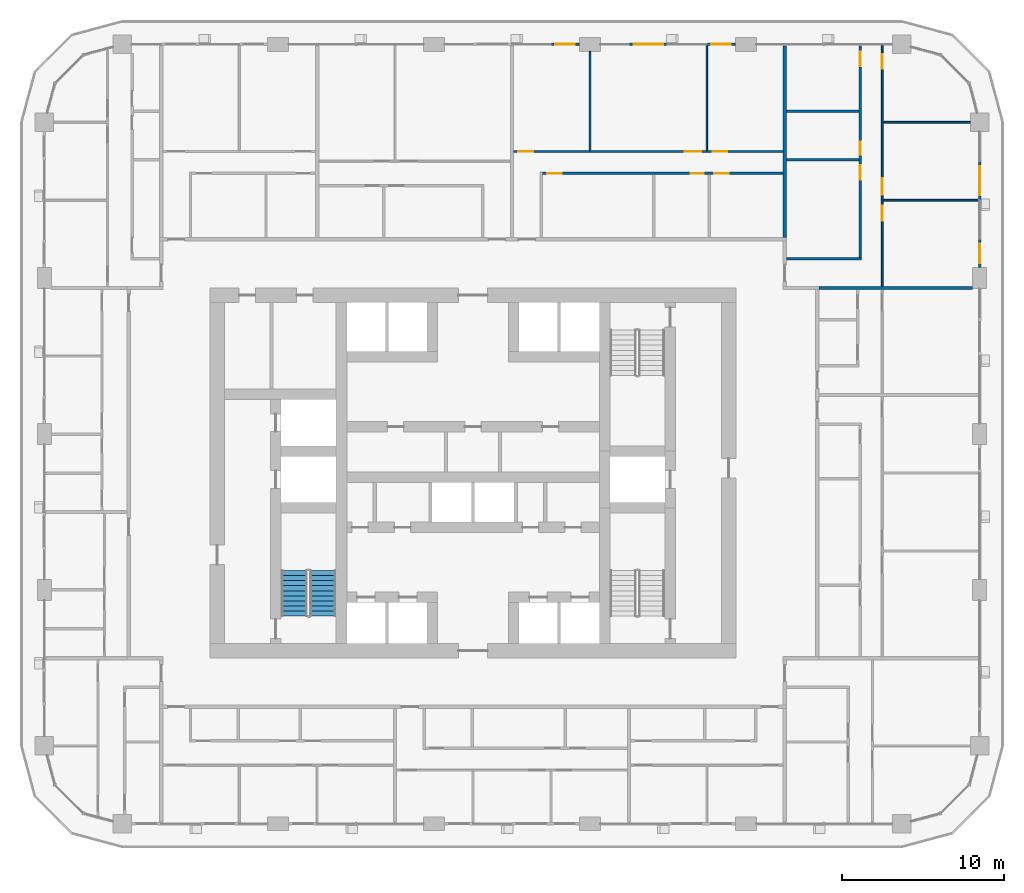
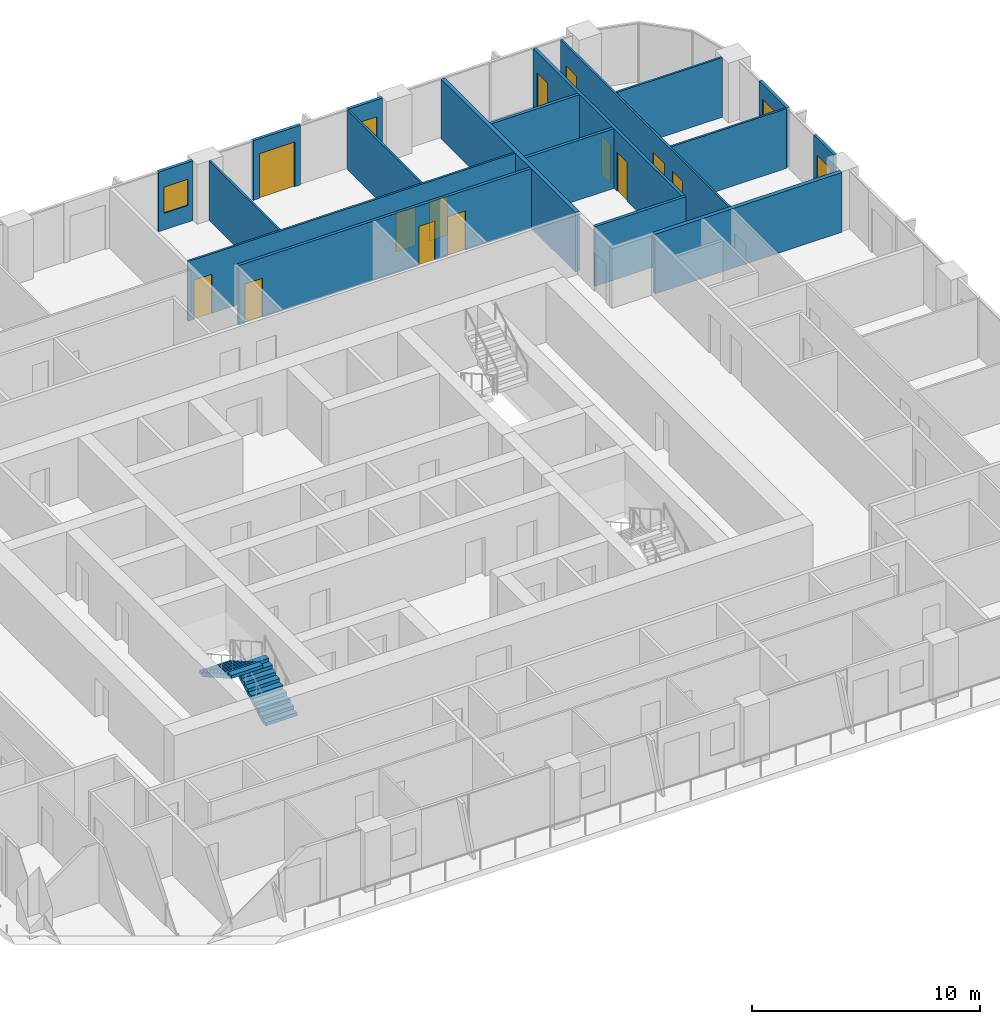
# One storey, part 15 of 22: 18 walls, 14 doors, 3 windows, 2 stair flights, 17 openings, 1 element without a shape of its own.
"""IFC4 building model written with IfcOpenShell, lengths in metres."""

from ifc_helpers import new_model, si_unit, direction, frame, frame_2d, origin, place, context, subcontext, project, spatial, polyline, rectangle, outline, extrude, material, layer, layer_set, type_object, element, fill, aggregate, save


model = new_model("IFC4")

# Units and contexts
model_context = context("Model", 3, precision=1e-05, world=origin(), true_north=direction((0.0, 1.0)))
body_context = subcontext(model_context, "Body", "Model", "MODEL_VIEW")
ifc_project = project(units=[si_unit("LENGTHUNIT", "METRE"), si_unit("AREAUNIT", "SQUARE_METRE"), si_unit("VOLUMEUNIT", "CUBIC_METRE"), si_unit("PLANEANGLEUNIT", "RADIAN"), si_unit("MASSUNIT", "GRAM", prefix="KILO")], contexts=[model_context])

# Site, building, storey
site_placement = place(None, origin())
site = spatial("IfcSite", under=ifc_project, at=site_placement, CompositionType="ELEMENT")
building_placement = place(site_placement, origin())
building = spatial("IfcBuilding", under=site, at=building_placement, Name="Madar Terraces", CompositionType="ELEMENT")
storey_placement = place(building_placement, frame((0.0, 0.0, 99.699951171875)))
storey = spatial("IfcBuildingStorey", under=building, at=storey_placement, Name="L25", CompositionType="ELEMENT", Elevation=99.699951171875)

# Wall, opening, window
ifc_material_1 = material(Name="Aluminium composite panel, black, over insulated backing", Category="aluminium")
ifc_layer_1 = layer(ifc_material_1, 0.14990234375)
ifc_layer_set_1 = layer_set([ifc_layer_1], Name="Facade bay panel 150")
wall_type_1 = type_object("IfcWallType", Name="Facade bay panel 150", PredefinedType="SOLIDWALL", material=ifc_layer_set_1)
wall_1_placement = place(storey_placement, frame((62.39990234375, 39.050048828125, 0.0), z_axis=(0.0, 0.0, 1.0), x_axis=(0.0, 1.0, 0.0)))
wall_1 = element("IfcWall", 1, at=wall_1_placement, inside=storey, type_object=wall_type_1, Name="Facade bay panel", PredefinedType="SOLIDWALL", context=body_context, shape_type="SweptSolid", body=[
    extrude(rectangle(XDim=1.75, YDim=0.14990234375, at=frame_2d((0.875, 0.0))), origin(), (0.0, 0.0, 1.0), 3.199951171875),
])
opening_1_placement = place(wall_1_placement, frame((0.27490234375, 0.0, 0.89990234375)))
opening_1 = element("IfcOpeningElement", 2, at=opening_1_placement, cuts=wall_1, Name="Opening W1", PredefinedType="OPENING", context=body_context, shape_type="SweptSolid", body=[
    extrude(rectangle(XDim=1.199951171875, YDim=1.39990234375, at=frame_2d((0.60009765625, 0.699951171875))), frame((0.0, 0.0849609375, 0.0), z_axis=(0.0, -1.0, 0.0), x_axis=(1.0, 0.0, 0.0)), (0.0, 0.0, 1.0), 0.169921875),
])
ifc_material_2 = material(Name="Glass, clear, with black aluminium frame", Category="aluminium")
window_type = type_object("IfcWindowType", Name="Vent window 1200 x 1400", PartitioningType="SINGLE_PANEL", PredefinedType="WINDOW", material=ifc_material_2)
window_1_placement = place(opening_1_placement, origin())
window_1 = element("IfcWindow", 3, at=window_1_placement, inside=storey, type_object=window_type, Name="Operable vent window", OverallHeight=1.39990234375, OverallWidth=1.199951171875, PartitioningType="SINGLE_PANEL", PredefinedType="WINDOW", context=body_context, shape_type="SweptSolid", body=[
    extrude(rectangle(XDim=1.199951171875, YDim=1.39990234375, at=frame_2d((0.60009765625, 0.699951171875))), frame((0.0, 0.030029296875, 0.0), z_axis=(0.0, -1.0, 0.0), x_axis=(1.0, 0.0, 0.0)), (0.0, 0.0, 1.0), 0.06005859375),
])
fill(opening_1, window_1)

# Wall, opening, door
wall_2_placement = place(storey_placement, frame((62.39990234375, 43.199951171875, 0.0), z_axis=(0.0, 0.0, 1.0), x_axis=(0.0, 1.0, 0.0)))
wall_2 = element("IfcWall", 4, at=wall_2_placement, inside=storey, type_object=wall_type_1, Name="Facade bay panel", PredefinedType="SOLIDWALL", context=body_context, shape_type="SweptSolid", body=[
    extrude(rectangle(XDim=2.400146484375, YDim=0.14990234375, at=frame_2d((1.2001953125, 0.0))), origin(), (0.0, 0.0, 1.0), 3.199951171875),
])
opening_2_placement = place(wall_2_placement, frame((0.300048828125, 0.0, 0.0)))
opening_2 = element("IfcOpeningElement", 5, at=opening_2_placement, cuts=wall_2, Name="Opening ED1", PredefinedType="OPENING", context=body_context, shape_type="SweptSolid", body=[
    extrude(rectangle(XDim=1.800048828125, YDim=2.39990234375, at=frame_2d((0.89990234375, 1.199951171875))), frame((0.0, 0.0849609375, 0.0), z_axis=(0.0, -1.0, 0.0), x_axis=(1.0, 0.0, 0.0)), (0.0, 0.0, 1.0), 0.169921875),
])
ifc_material_3 = material(Name="Glass, clear, with black aluminium frame", Category="aluminium")
door_type_1 = type_object("IfcDoorType", Name="Balcony and terrace sliding door 1800 x 2400", OperationType="SLIDING_TO_LEFT", PredefinedType="DOOR", material=ifc_material_3)
door_1_placement = place(opening_2_placement, origin())
door_1 = element("IfcDoor", 6, at=door_1_placement, inside=storey, type_object=door_type_1, Name="Balcony door", OperationType="SLIDING_TO_LEFT", OverallHeight=2.39990234375, OverallWidth=1.800048828125, PredefinedType="DOOR", context=body_context, shape_type="SweptSolid", body=[
    extrude(rectangle(XDim=1.800048828125, YDim=2.39990234375, at=frame_2d((0.89990234375, 1.199951171875))), frame((0.0, 0.02490234375, 0.0), z_axis=(0.0, -1.0, 0.0), x_axis=(1.0, 0.0, 0.0)), (0.0, 0.0, 1.0), 0.050048828125),
])
fill(opening_2, door_1)

# Wall, opening, window
wall_3_placement = place(storey_placement, frame((47.35009765625, 52.800048828125, 0.0), z_axis=(0.0, 0.0, 1.0), x_axis=(-1.0, 0.0, 0.0)))
wall_3 = element("IfcWall", 7, at=wall_3_placement, inside=storey, type_object=wall_type_1, Name="Facade bay panel", PredefinedType="SOLIDWALL", context=body_context, shape_type="SweptSolid", body=[
    extrude(rectangle(XDim=1.75, YDim=0.14990234375, at=frame_2d((0.875, 0.0))), origin(), (0.0, 0.0, 1.0), 3.199951171875),
])
opening_3_placement = place(wall_3_placement, frame((0.27490234375, 0.0, 0.89990234375)))
opening_3 = element("IfcOpeningElement", 8, at=opening_3_placement, cuts=wall_3, Name="Opening W1", PredefinedType="OPENING", context=body_context, shape_type="SweptSolid", body=[
    extrude(rectangle(XDim=1.199951171875, YDim=1.39990234375, at=frame_2d((0.60009765625, 0.699951171875))), frame((0.0, 0.0849609375, 0.0), z_axis=(0.0, -1.0, 0.0), x_axis=(1.0, 0.0, 0.0)), (0.0, 0.0, 1.0), 0.169921875),
])
window_2_placement = place(opening_3_placement, origin())
window_2 = element("IfcWindow", 9, at=window_2_placement, inside=storey, type_object=window_type, Name="Operable vent window", OverallHeight=1.39990234375, OverallWidth=1.199951171875, PartitioningType="SINGLE_PANEL", PredefinedType="WINDOW", context=body_context, shape_type="SweptSolid", body=[
    extrude(rectangle(XDim=1.199951171875, YDim=1.39990234375, at=frame_2d((0.60009765625, 0.699951171875))), frame((0.0, 0.030029296875, 0.0), z_axis=(0.0, -1.0, 0.0), x_axis=(1.0, 0.0, 0.0)), (0.0, 0.0, 1.0), 0.06005859375),
])
fill(opening_3, window_2)

# Wall, opening, door
wall_4_placement = place(storey_placement, frame((43.199951171875, 52.800048828125, 0.0), z_axis=(0.0, 0.0, 1.0), x_axis=(-1.0, 0.0, 0.0)))
wall_4 = element("IfcWall", 10, at=wall_4_placement, inside=storey, type_object=wall_type_1, Name="Facade bay panel", PredefinedType="SOLIDWALL", context=body_context, shape_type="SweptSolid", body=[
    extrude(rectangle(XDim=2.39990234375, YDim=0.14990234375, at=frame_2d((1.199951171875, 0.0))), origin(), (0.0, 0.0, 1.0), 3.199951171875),
])
opening_4_placement = place(wall_4_placement, frame((0.300048828125, 0.0, 0.0)))
opening_4 = element("IfcOpeningElement", 11, at=opening_4_placement, cuts=wall_4, Name="Opening ED1", PredefinedType="OPENING", context=body_context, shape_type="SweptSolid", body=[
    extrude(rectangle(XDim=1.800048828125, YDim=2.39990234375, at=frame_2d((0.89990234375, 1.199951171875))), frame((0.0, 0.0849609375, 0.0), z_axis=(0.0, -1.0, 0.0), x_axis=(1.0, 0.0, 0.0)), (0.0, 0.0, 1.0), 0.169921875),
])
door_2_placement = place(opening_4_placement, origin())
door_2 = element("IfcDoor", 12, at=door_2_placement, inside=storey, type_object=door_type_1, Name="Balcony door", OperationType="SLIDING_TO_RIGHT", OverallHeight=2.39990234375, OverallWidth=1.800048828125, PredefinedType="DOOR", context=body_context, shape_type="SweptSolid", body=[
    extrude(rectangle(XDim=1.800048828125, YDim=2.39990234375, at=frame_2d((0.89990234375, 1.199951171875))), frame((0.0, 0.02490234375, 0.0), z_axis=(0.0, -1.0, 0.0), x_axis=(1.0, 0.0, 0.0)), (0.0, 0.0, 1.0), 0.050048828125),
])
fill(opening_4, door_2)

# Wall, opening, window
wall_5_placement = place(storey_placement, frame((37.75, 52.800048828125, 0.0), z_axis=(0.0, 0.0, 1.0), x_axis=(-1.0, 0.0, 0.0)))
wall_5 = element("IfcWall", 13, at=wall_5_placement, inside=storey, type_object=wall_type_1, Name="Facade bay panel", PredefinedType="SOLIDWALL", context=body_context, shape_type="SweptSolid", body=[
    extrude(rectangle(XDim=1.75, YDim=0.14990234375, at=frame_2d((0.875, 0.0))), origin(), (0.0, 0.0, 1.0), 3.199951171875),
])
opening_5_placement = place(wall_5_placement, frame((0.27490234375, 0.0, 0.89990234375)))
opening_5 = element("IfcOpeningElement", 14, at=opening_5_placement, cuts=wall_5, Name="Opening W1", PredefinedType="OPENING", context=body_context, shape_type="SweptSolid", body=[
    extrude(rectangle(XDim=1.199951171875, YDim=1.39990234375, at=frame_2d((0.60009765625, 0.699951171875))), frame((0.0, 0.0849609375, 0.0), z_axis=(0.0, -1.0, 0.0), x_axis=(1.0, 0.0, 0.0)), (0.0, 0.0, 1.0), 0.169921875),
])
window_3_placement = place(opening_5_placement, origin())
window_3 = element("IfcWindow", 15, at=window_3_placement, inside=storey, type_object=window_type, Name="Operable vent window", OverallHeight=1.39990234375, OverallWidth=1.199951171875, PartitioningType="SINGLE_PANEL", PredefinedType="WINDOW", context=body_context, shape_type="SweptSolid", body=[
    extrude(rectangle(XDim=1.199951171875, YDim=1.39990234375, at=frame_2d((0.60009765625, 0.699951171875))), frame((0.0, 0.030029296875, 0.0), z_axis=(0.0, -1.0, 0.0), x_axis=(1.0, 0.0, 0.0)), (0.0, 0.0, 1.0), 0.06005859375),
])
fill(opening_5, window_3)

# Walls
ifc_material_4 = material(Name="Gypsum board on steel studs", Category="steel")
ifc_layer_2 = layer(ifc_material_4, 0.10009765625)
ifc_layer_set_2 = layer_set([ifc_layer_2], Name="Flat partition 100")
wall_type_2 = type_object("IfcWallType", Name="Flat partition 100", PredefinedType="PARTITIONING", material=ifc_layer_set_2)
wall_6_placement = place(storey_placement, frame((56.449951171875, 43.199951171875, 0.0), z_axis=(0.0, 0.0, 1.0), x_axis=(1.0, 0.0, 0.0)))
element("IfcWall", 16, at=wall_6_placement, inside=storey, type_object=wall_type_2, Name="Flat partition 100", PredefinedType="PARTITIONING", context=body_context, shape_type="SweptSolid", body=[
    extrude(rectangle(XDim=5.85009765625, YDim=0.10009765625, at=frame_2d((2.925048828125, 0.0))), origin(), (0.0, 0.0, 1.0), 3.199951171875),
])
wall_7_placement = place(storey_placement, frame((56.449951171875, 48.0, 0.0), z_axis=(0.0, 0.0, 1.0), x_axis=(1.0, 0.0, 0.0)))
element("IfcWall", 17, at=wall_7_placement, inside=storey, type_object=wall_type_2, Name="Flat partition 100", PredefinedType="PARTITIONING", context=body_context, shape_type="SweptSolid", body=[
    extrude(rectangle(XDim=5.375, YDim=0.10009765625, at=frame_2d((2.6875, 0.0))), origin(), (0.0, 0.0, 1.0), 3.199951171875),
])

# Wall, openings, doors
wall_8_placement = place(storey_placement, frame((56.39990234375, 52.699951171875, 0.0), z_axis=(0.0, 0.0, 1.0), x_axis=(0.0, -1.0, 0.0)))
wall_8 = element("IfcWall", 18, at=wall_8_placement, inside=storey, type_object=wall_type_2, Name="Flat partition 100", PredefinedType="PARTITIONING", context=body_context, shape_type="SweptSolid", body=[
    extrude(rectangle(XDim=14.800048828125, YDim=0.10009765625, at=frame_2d((7.39990234375, 0.0))), origin(), (0.0, 0.0, 1.0), 3.199951171875),
])
opening_6_placement = place(wall_8_placement, frame((9.85009765625, 0.0, 0.0)))
opening_6 = element("IfcOpeningElement", 19, at=opening_6_placement, cuts=wall_8, Name="Opening D2", PredefinedType="OPENING", context=body_context, shape_type="SweptSolid", body=[
    extrude(rectangle(XDim=0.89990234375, YDim=2.10009765625, at=frame_2d((0.449951171875, 1.050048828125))), frame((0.0, 0.06005859375, 0.0), z_axis=(0.0, -1.0, 0.0), x_axis=(1.0, 0.0, 0.0)), (0.0, 0.0, 1.0), 0.1201171875),
])
opening_7_placement = place(wall_8_placement, frame((8.14990234375, 0.0, 0.0)))
opening_7 = element("IfcOpeningElement", 20, at=opening_7_placement, cuts=wall_8, Name="Opening D3", PredefinedType="OPENING", context=body_context, shape_type="SweptSolid", body=[
    extrude(rectangle(XDim=1.0, YDim=2.10009765625, at=frame_2d((0.5, 1.050048828125))), frame((0.0, 0.06005859375, 0.0), z_axis=(0.0, -1.0, 0.0), x_axis=(1.0, 0.0, 0.0)), (0.0, 0.0, 1.0), 0.1201171875),
])
opening_8_placement = place(wall_8_placement, frame((0.5, 0.0, 0.0)))
opening_8 = element("IfcOpeningElement", 21, at=opening_8_placement, cuts=wall_8, Name="Opening D2", PredefinedType="OPENING", context=body_context, shape_type="SweptSolid", body=[
    extrude(rectangle(XDim=0.89990234375, YDim=2.10009765625, at=frame_2d((0.449951171875, 1.050048828125))), frame((0.0, 0.06005859375, 0.0), z_axis=(0.0, -1.0, 0.0), x_axis=(1.0, 0.0, 0.0)), (0.0, 0.0, 1.0), 0.1201171875),
])
ifc_material_5 = material(Name="Timber door leaf", Category="wood")
door_type_2 = type_object("IfcDoorType", Name="Flat living room door 1000", OperationType="NOTDEFINED", PredefinedType="DOOR", material=ifc_material_5)
door_3_placement = place(opening_7_placement, origin())
door_3 = element("IfcDoor", 22, at=door_3_placement, inside=storey, type_object=door_type_2, Name="Flat living room door 1000", OperationType="SINGLE_SWING_RIGHT", OverallHeight=2.10009765625, OverallWidth=1.0, PredefinedType="DOOR", context=body_context, shape_type="SweptSolid", body=[
    extrude(rectangle(XDim=1.0, YDim=2.10009765625, at=frame_2d((0.5, 1.050048828125))), frame((0.0, 0.02490234375, 0.0), z_axis=(0.0, -1.0, 0.0), x_axis=(1.0, 0.0, 0.0)), (0.0, 0.0, 1.0), 0.050048828125),
])
fill(opening_7, door_3)
ifc_material_6 = material(Name="Timber door leaf", Category="wood")
door_type_3 = type_object("IfcDoorType", Name="Flat room door 900", OperationType="NOTDEFINED", PredefinedType="DOOR", material=ifc_material_6)
door_4_placement = place(opening_6_placement, origin())
door_4 = element("IfcDoor", 23, at=door_4_placement, inside=storey, type_object=door_type_3, Name="Flat room door 900", OperationType="SINGLE_SWING_LEFT", OverallHeight=2.10009765625, OverallWidth=0.89990234375, PredefinedType="DOOR", context=body_context, shape_type="SweptSolid", body=[
    extrude(rectangle(XDim=0.89990234375, YDim=2.10009765625, at=frame_2d((0.449951171875, 1.050048828125))), frame((0.0, 0.02490234375, 0.0), z_axis=(0.0, -1.0, 0.0), x_axis=(1.0, 0.0, 0.0)), (0.0, 0.0, 1.0), 0.050048828125),
])
fill(opening_6, door_4)
door_5_placement = place(opening_8_placement, origin())
door_5 = element("IfcDoor", 24, at=door_5_placement, inside=storey, type_object=door_type_3, Name="Flat room door 900", OperationType="SINGLE_SWING_LEFT", OverallHeight=2.10009765625, OverallWidth=0.89990234375, PredefinedType="DOOR", context=body_context, shape_type="SweptSolid", body=[
    extrude(rectangle(XDim=0.89990234375, YDim=2.10009765625, at=frame_2d((0.449951171875, 1.050048828125))), frame((0.0, 0.02490234375, 0.0), z_axis=(0.0, -1.0, 0.0), x_axis=(1.0, 0.0, 0.0)), (0.0, 0.0, 1.0), 0.050048828125),
])
fill(opening_8, door_5)

# Walls
wall_9_placement = place(storey_placement, frame((38.39990234375, 46.25, 0.0), z_axis=(0.0, 0.0, 1.0), x_axis=(0.0, 1.0, 0.0)))
element("IfcWall", 25, at=wall_9_placement, inside=storey, type_object=wall_type_2, Name="Flat partition 100", PredefinedType="PARTITIONING", context=body_context, shape_type="SweptSolid", body=[
    extrude(rectangle(XDim=6.125, YDim=0.10009765625, at=frame_2d((3.0625, 0.0))), origin(), (0.0, 0.0, 1.0), 3.199951171875),
])
wall_10_placement = place(storey_placement, frame((45.60009765625, 46.25, 0.0), z_axis=(0.0, 0.0, 1.0), x_axis=(0.0, 1.0, 0.0)))
element("IfcWall", 26, at=wall_10_placement, inside=storey, type_object=wall_type_2, Name="Flat partition 100", PredefinedType="PARTITIONING", context=body_context, shape_type="SweptSolid", body=[
    extrude(rectangle(XDim=6.449951171875, YDim=0.10009765625, at=frame_2d((3.22509765625, 0.0))), origin(), (0.0, 0.0, 1.0), 3.199951171875),
])

# Wall, openings, doors
wall_11_placement = place(storey_placement, frame((33.699951171875, 46.199951171875, 0.0), z_axis=(0.0, 0.0, 1.0), x_axis=(1.0, 0.0, 0.0)))
wall_11 = element("IfcWall", 27, at=wall_11_placement, inside=storey, type_object=wall_type_2, Name="Flat partition 100", PredefinedType="PARTITIONING", context=body_context, shape_type="SweptSolid", body=[
    extrude(rectangle(XDim=16.60009765625, YDim=0.10009765625, at=frame_2d((8.300048828125, 0.0))), origin(), (0.0, 0.0, 1.0), 3.199951171875),
])
opening_9_placement = place(wall_11_placement, frame((0.300048828125, 0.0, 0.0)))
opening_9 = element("IfcOpeningElement", 28, at=opening_9_placement, cuts=wall_11, Name="Opening D2", PredefinedType="OPENING", context=body_context, shape_type="SweptSolid", body=[
    extrude(rectangle(XDim=0.89990234375, YDim=2.10009765625, at=frame_2d((0.449951171875, 1.050048828125))), frame((0.0, 0.06005859375, 0.0), z_axis=(0.0, -1.0, 0.0), x_axis=(1.0, 0.0, 0.0)), (0.0, 0.0, 1.0), 0.1201171875),
])
opening_10_placement = place(wall_11_placement, frame((10.550048828125, 0.0, 0.0)))
opening_10 = element("IfcOpeningElement", 29, at=opening_10_placement, cuts=wall_11, Name="Opening D3", PredefinedType="OPENING", context=body_context, shape_type="SweptSolid", body=[
    extrude(rectangle(XDim=1.0, YDim=2.10009765625, at=frame_2d((0.5, 1.050048828125))), frame((0.0, 0.06005859375, 0.0), z_axis=(0.0, -1.0, 0.0), x_axis=(1.0, 0.0, 0.0)), (0.0, 0.0, 1.0), 0.1201171875),
])
opening_11_placement = place(wall_11_placement, frame((12.25, 0.0, 0.0)))
opening_11 = element("IfcOpeningElement", 30, at=opening_11_placement, cuts=wall_11, Name="Opening D2", PredefinedType="OPENING", context=body_context, shape_type="SweptSolid", body=[
    extrude(rectangle(XDim=0.89990234375, YDim=2.10009765625, at=frame_2d((0.449951171875, 1.050048828125))), frame((0.0, 0.06005859375, 0.0), z_axis=(0.0, -1.0, 0.0), x_axis=(1.0, 0.0, 0.0)), (0.0, 0.0, 1.0), 0.1201171875),
])
door_6_placement = place(opening_10_placement, origin())
door_6 = element("IfcDoor", 31, at=door_6_placement, inside=storey, type_object=door_type_2, Name="Flat living room door 1000", OperationType="SINGLE_SWING_RIGHT", OverallHeight=2.10009765625, OverallWidth=1.0, PredefinedType="DOOR", context=body_context, shape_type="SweptSolid", body=[
    extrude(rectangle(XDim=1.0, YDim=2.10009765625, at=frame_2d((0.5, 1.050048828125))), frame((0.0, 0.02490234375, 0.0), z_axis=(0.0, -1.0, 0.0), x_axis=(1.0, 0.0, 0.0)), (0.0, 0.0, 1.0), 0.050048828125),
])
fill(opening_10, door_6)
door_7_placement = place(opening_9_placement, origin())
door_7 = element("IfcDoor", 32, at=door_7_placement, inside=storey, type_object=door_type_3, Name="Flat room door 900", OperationType="SINGLE_SWING_LEFT", OverallHeight=2.10009765625, OverallWidth=0.89990234375, PredefinedType="DOOR", context=body_context, shape_type="SweptSolid", body=[
    extrude(rectangle(XDim=0.89990234375, YDim=2.10009765625, at=frame_2d((0.449951171875, 1.050048828125))), frame((0.0, 0.02490234375, 0.0), z_axis=(0.0, -1.0, 0.0), x_axis=(1.0, 0.0, 0.0)), (0.0, 0.0, 1.0), 0.050048828125),
])
fill(opening_9, door_7)
door_8_placement = place(opening_11_placement, origin())
door_8 = element("IfcDoor", 33, at=door_8_placement, inside=storey, type_object=door_type_3, Name="Flat room door 900", OperationType="SINGLE_SWING_LEFT", OverallHeight=2.10009765625, OverallWidth=0.89990234375, PredefinedType="DOOR", context=body_context, shape_type="SweptSolid", body=[
    extrude(rectangle(XDim=0.89990234375, YDim=2.10009765625, at=frame_2d((0.449951171875, 1.050048828125))), frame((0.0, 0.02490234375, 0.0), z_axis=(0.0, -1.0, 0.0), x_axis=(1.0, 0.0, 0.0)), (0.0, 0.0, 1.0), 0.050048828125),
])
fill(opening_11, door_8)

# Walls
ifc_material_7 = material(Name="Lightweight blockwork", Category="masonry")
ifc_layer_3 = layer(ifc_material_7, 0.199951171875)
ifc_layer_set_3 = layer_set([ifc_layer_3], Name="Flat party and entrance wall 200")
wall_type_3 = type_object("IfcWallType", Name="Flat party and entrance wall 200", PredefinedType="PARTITIONING", material=ifc_layer_set_3)
wall_12_placement = place(storey_placement, frame((52.5, 37.800048828125, 0.0), z_axis=(0.0, 0.0, 1.0), x_axis=(1.0, 0.0, 0.0)))
element("IfcWall", 34, at=wall_12_placement, inside=storey, type_object=wall_type_3, Name="Flat party and entrance wall 200", PredefinedType="PARTITIONING", context=body_context, shape_type="SweptSolid", body=[
    extrude(rectangle(XDim=9.47509765625, YDim=0.199951171875, at=frame_2d((4.737548828125, 0.0))), origin(), (0.0, 0.0, 1.0), 3.199951171875),
])
wall_13_placement = place(storey_placement, frame((50.39990234375, 40.89990234375, 0.0), z_axis=(0.0, 0.0, 1.0), x_axis=(0.0, 1.0, 0.0)))
element("IfcWall", 35, at=wall_13_placement, inside=storey, type_object=wall_type_3, Name="Flat party and entrance wall 200", PredefinedType="PARTITIONING", context=body_context, shape_type="SweptSolid", body=[
    extrude(rectangle(XDim=11.800048828125, YDim=0.199951171875, at=frame_2d((5.89990234375, 0.0))), origin(), (0.0, 0.0, 1.0), 3.199951171875),
])
ifc_material_8 = material(Name="Lightweight blockwork", Category="masonry")
ifc_layer_4 = layer(ifc_material_8, 0.14990234375)
ifc_layer_set_4 = layer_set([ifc_layer_4], Name="Flat wet-room partition 150")
wall_type_4 = type_object("IfcWallType", Name="Flat wet-room partition 150", PredefinedType="PARTITIONING", material=ifc_layer_set_4)
for number, where, z_axis, x_axis, name in (
    (36, (50.5, 45.6865234375, 0.0), (0.0, 0.0, 1.0), (1.0, 0.0, 0.0), "Flat wet-room partition 150"),
    (37, (50.5, 48.6923828125, 0.0), (0.0, 0.0, 1.0), (1.0, 0.0, 0.0), "Flat wet-room partition 150"),
):
    element("IfcWall", number, at=place(storey_placement, frame(where, z_axis=z_axis, x_axis=x_axis)), inside=storey, type_object=wall_type_4, Name=name, PredefinedType="PARTITIONING", context=body_context, shape_type="SweptSolid", body=[
        extrude(rectangle(XDim=4.47509765625, YDim=0.14990234375, at=frame_2d((2.237548828125, 0.0))), origin(), (0.0, 0.0, 1.0), 3.199951171875),
    ])
wall_14_placement = place(storey_placement, frame((50.5, 39.60009765625, 0.0), z_axis=(0.0, 0.0, 1.0), x_axis=(1.0, 0.0, 0.0)))
element("IfcWall", 38, at=wall_14_placement, inside=storey, type_object=wall_type_4, Name="Flat wet-room partition 150", PredefinedType="PARTITIONING", context=body_context, shape_type="SweptSolid", body=[
    extrude(rectangle(XDim=4.625, YDim=0.14990234375, at=frame_2d((2.3125, 0.0))), origin(), (0.0, 0.0, 1.0), 3.199951171875),
])

# Wall, openings, doors
wall_15_placement = place(storey_placement, frame((55.050048828125, 39.675048828125, 0.0), z_axis=(0.0, 0.0, 1.0), x_axis=(0.0, 1.0, 0.0)))
wall_15 = element("IfcWall", 39, at=wall_15_placement, inside=storey, type_object=wall_type_4, Name="Flat wet-room partition 150", PredefinedType="PARTITIONING", context=body_context, shape_type="SweptSolid", body=[
    extrude(rectangle(XDim=13.02490234375, YDim=0.14990234375, at=frame_2d((6.512451171875, 0.0))), origin(), (0.0, 0.0, 1.0), 3.199951171875),
])
opening_12_placement = place(wall_15_placement, frame((4.78662109375, 0.0, 0.0)))
opening_12 = element("IfcOpeningElement", 40, at=opening_12_placement, cuts=wall_15, Name="Opening D2", PredefinedType="OPENING", context=body_context, shape_type="SweptSolid", body=[
    extrude(rectangle(XDim=0.89990234375, YDim=2.10009765625, at=frame_2d((0.449951171875, 1.050048828125))), frame((0.0, 0.0849609375, 0.0), z_axis=(0.0, -1.0, 0.0), x_axis=(1.0, 0.0, 0.0)), (0.0, 0.0, 1.0), 0.169921875),
])
opening_13_placement = place(wall_15_placement, frame((6.33642578125, 0.0, 0.0)))
opening_13 = element("IfcOpeningElement", 41, at=opening_13_placement, cuts=wall_15, Name="Opening D4", PredefinedType="OPENING", context=body_context, shape_type="SweptSolid", body=[
    extrude(rectangle(XDim=0.800048828125, YDim=2.10009765625, at=frame_2d((0.39990234375, 1.050048828125))), frame((0.0, 0.0849609375, 0.0), z_axis=(0.0, -1.0, 0.0), x_axis=(1.0, 0.0, 0.0)), (0.0, 0.0, 1.0), 0.169921875),
])
opening_14_placement = place(wall_15_placement, frame((11.77490234375, 0.0, 0.0)))
opening_14 = element("IfcOpeningElement", 42, at=opening_14_placement, cuts=wall_15, Name="Opening D5", PredefinedType="OPENING", context=body_context, shape_type="SweptSolid", body=[
    extrude(rectangle(XDim=0.89990234375, YDim=2.10009765625, at=frame_2d((0.449951171875, 1.050048828125))), frame((0.0, 0.0849609375, 0.0), z_axis=(0.0, -1.0, 0.0), x_axis=(1.0, 0.0, 0.0)), (0.0, 0.0, 1.0), 0.169921875),
])
ifc_material_9 = material(Name="Timber door leaf", Category="wood")
door_type_4 = type_object("IfcDoorType", Name="Flat accessible bathroom door 900", OperationType="NOTDEFINED", PredefinedType="DOOR", material=ifc_material_9)
door_9_placement = place(opening_14_placement, origin())
door_9 = element("IfcDoor", 43, at=door_9_placement, inside=storey, type_object=door_type_4, Name="Flat accessible bathroom door 900", OperationType="SINGLE_SWING_RIGHT", OverallHeight=2.10009765625, OverallWidth=0.89990234375, PredefinedType="DOOR", context=body_context, shape_type="SweptSolid", body=[
    extrude(rectangle(XDim=0.89990234375, YDim=2.10009765625, at=frame_2d((0.449951171875, 1.050048828125))), frame((0.0, 0.02490234375, 0.0), z_axis=(0.0, -1.0, 0.0), x_axis=(1.0, 0.0, 0.0)), (0.0, 0.0, 1.0), 0.050048828125),
])
fill(opening_14, door_9)
ifc_material_10 = material(Name="Timber door leaf", Category="wood")
door_type_5 = type_object("IfcDoorType", Name="Flat bathroom door 800", OperationType="NOTDEFINED", PredefinedType="DOOR", material=ifc_material_10)
door_10_placement = place(opening_13_placement, origin())
door_10 = element("IfcDoor", 44, at=door_10_placement, inside=storey, type_object=door_type_5, Name="Flat bathroom door 800", OperationType="SINGLE_SWING_LEFT", OverallHeight=2.10009765625, OverallWidth=0.800048828125, PredefinedType="DOOR", context=body_context, shape_type="SweptSolid", body=[
    extrude(rectangle(XDim=0.800048828125, YDim=2.10009765625, at=frame_2d((0.39990234375, 1.050048828125))), frame((0.0, 0.02490234375, 0.0), z_axis=(0.0, -1.0, 0.0), x_axis=(1.0, 0.0, 0.0)), (0.0, 0.0, 1.0), 0.050048828125),
])
fill(opening_13, door_10)
door_11_placement = place(opening_12_placement, origin())
door_11 = element("IfcDoor", 45, at=door_11_placement, inside=storey, type_object=door_type_3, Name="Flat room door 900", OperationType="SINGLE_SWING_RIGHT", OverallHeight=2.10009765625, OverallWidth=0.89990234375, PredefinedType="DOOR", context=body_context, shape_type="SweptSolid", body=[
    extrude(rectangle(XDim=0.89990234375, YDim=2.10009765625, at=frame_2d((0.449951171875, 1.050048828125))), frame((0.0, 0.02490234375, 0.0), z_axis=(0.0, -1.0, 0.0), x_axis=(1.0, 0.0, 0.0)), (0.0, 0.0, 1.0), 0.050048828125),
])
fill(opening_12, door_11)

wall_16_placement = place(storey_placement, frame((50.300048828125, 44.85009765625, 0.0), z_axis=(0.0, 0.0, 1.0), x_axis=(-1.0, 0.0, 0.0)))
wall_16 = element("IfcWall", 46, at=wall_16_placement, inside=storey, type_object=wall_type_4, Name="Flat wet-room partition 150", PredefinedType="PARTITIONING", context=body_context, shape_type="SweptSolid", body=[
    extrude(rectangle(XDim=14.824951171875, YDim=0.14990234375, at=frame_2d((7.41259765625, 0.0))), origin(), (0.0, 0.0, 1.0), 3.199951171875),
])
opening_15_placement = place(wall_16_placement, frame((13.625, 0.0, 0.0)))
opening_15 = element("IfcOpeningElement", 47, at=opening_15_placement, cuts=wall_16, Name="Opening D2", PredefinedType="OPENING", context=body_context, shape_type="SweptSolid", body=[
    extrude(rectangle(XDim=0.89990234375, YDim=2.10009765625, at=frame_2d((0.449951171875, 1.050048828125))), frame((0.0, 0.0849609375, 0.0), z_axis=(0.0, -1.0, 0.0), x_axis=(1.0, 0.0, 0.0)), (0.0, 0.0, 1.0), 0.169921875),
])
opening_16_placement = place(wall_16_placement, frame((4.886474609375, 0.0, 0.0)))
opening_16 = element("IfcOpeningElement", 48, at=opening_16_placement, cuts=wall_16, Name="Opening D4", PredefinedType="OPENING", context=body_context, shape_type="SweptSolid", body=[
    extrude(rectangle(XDim=0.800048828125, YDim=2.10009765625, at=frame_2d((0.39990234375, 1.050048828125))), frame((0.0, 0.0849609375, 0.0), z_axis=(0.0, -1.0, 0.0), x_axis=(1.0, 0.0, 0.0)), (0.0, 0.0, 1.0), 0.169921875),
])
opening_17_placement = place(wall_16_placement, frame((3.33642578125, 0.0, 0.0)))
opening_17 = element("IfcOpeningElement", 49, at=opening_17_placement, cuts=wall_16, Name="Opening D5", PredefinedType="OPENING", context=body_context, shape_type="SweptSolid", body=[
    extrude(rectangle(XDim=0.89990234375, YDim=2.10009765625, at=frame_2d((0.449951171875, 1.050048828125))), frame((0.0, 0.0849609375, 0.0), z_axis=(0.0, -1.0, 0.0), x_axis=(1.0, 0.0, 0.0)), (0.0, 0.0, 1.0), 0.169921875),
])
door_12_placement = place(opening_17_placement, origin())
door_12 = element("IfcDoor", 50, at=door_12_placement, inside=storey, type_object=door_type_4, Name="Flat accessible bathroom door 900", OperationType="SINGLE_SWING_RIGHT", OverallHeight=2.10009765625, OverallWidth=0.89990234375, PredefinedType="DOOR", context=body_context, shape_type="SweptSolid", body=[
    extrude(rectangle(XDim=0.89990234375, YDim=2.10009765625, at=frame_2d((0.449951171875, 1.050048828125))), frame((0.0, 0.02490234375, 0.0), z_axis=(0.0, -1.0, 0.0), x_axis=(1.0, 0.0, 0.0)), (0.0, 0.0, 1.0), 0.050048828125),
])
fill(opening_17, door_12)
door_13_placement = place(opening_16_placement, origin())
door_13 = element("IfcDoor", 51, at=door_13_placement, inside=storey, type_object=door_type_5, Name="Flat bathroom door 800", OperationType="SINGLE_SWING_LEFT", OverallHeight=2.10009765625, OverallWidth=0.800048828125, PredefinedType="DOOR", context=body_context, shape_type="SweptSolid", body=[
    extrude(rectangle(XDim=0.800048828125, YDim=2.10009765625, at=frame_2d((0.39990234375, 1.050048828125))), frame((0.0, 0.02490234375, 0.0), z_axis=(0.0, -1.0, 0.0), x_axis=(1.0, 0.0, 0.0)), (0.0, 0.0, 1.0), 0.050048828125),
])
fill(opening_16, door_13)
door_14_placement = place(opening_15_placement, origin())
door_14 = element("IfcDoor", 52, at=door_14_placement, inside=storey, type_object=door_type_3, Name="Flat room door 900", OperationType="SINGLE_SWING_RIGHT", OverallHeight=2.10009765625, OverallWidth=0.89990234375, PredefinedType="DOOR", context=body_context, shape_type="SweptSolid", body=[
    extrude(rectangle(XDim=0.89990234375, YDim=2.10009765625, at=frame_2d((0.449951171875, 1.050048828125))), frame((0.0, 0.02490234375, 0.0), z_axis=(0.0, -1.0, 0.0), x_axis=(1.0, 0.0, 0.0)), (0.0, 0.0, 1.0), 0.050048828125),
])
fill(opening_15, door_14)

# Stair, stair flights
ifc_material_11 = material(Name="Concrete C50/60", Category="concrete")
stair_type = type_object("IfcStairType", Name="Stair ST1 protected exit", PredefinedType="HALF_TURN_STAIR", material=ifc_material_11)
stair_placement = place(storey_placement, origin())
stair = element("IfcStair", 53, at=stair_placement, inside=storey, type_object=stair_type, Name="L25 Protected Exit Stair ST1", PredefinedType="HALF_TURN_STAIR")
ifc_material_12 = material(Name="Concrete C50/60", Category="concrete")
stair_flight_type = type_object("IfcStairFlightType", Name="Stair flight ST1-F4, 1600 wide, 10 risers", PredefinedType="STRAIGHT", material=ifc_material_12)
stair_flight_1_placement = place(storey_placement, frame((21.949951171875, 17.60009765625, 0.0), z_axis=(0.0, 0.0, 1.0), x_axis=(0.0, 1.0, 0.0)))
stair_flight_1 = element("IfcStairFlight", 54, at=stair_flight_1_placement, type_object=stair_flight_type, Name="ST1 flight 1", NumberOfRisers=10, NumberOfTreads=9, PredefinedType="STRAIGHT", RiserHeight=0.175, TreadLength=0.31, context=body_context, shape_type="SweptSolid", body=[
    extrude(outline(polyline([(0.0, 0.0), (0.0, 0.175048828125), (0.31005859375, 0.175048828125), (0.31005859375, 0.35009765625), (0.6201171875, 0.35009765625), (0.6201171875, 0.52490234375), (0.929931640625, 0.52490234375), (0.929931640625, 0.699951171875), (1.239990234375, 0.699951171875), (1.239990234375, 0.875), (1.550048828125, 0.875), (1.550048828125, 1.050048828125), (1.860107421875, 1.050048828125), (1.860107421875, 1.22509765625), (2.169921875, 1.22509765625), (2.169921875, 1.39990234375), (2.47998046875, 1.39990234375), (2.47998046875, 1.574951171875), (2.7900390625, 1.574951171875), (2.7900390625, 1.75), (2.7900390625, 1.40283203125), (0.304931640625, 0.0), (0.0, 0.0)])), frame((0.0, 0.800048828125, 0.0), z_axis=(0.0, -1.0, 0.0), x_axis=(1.0, 0.0, 0.0)), (0.0, 0.0, 1.0), 1.60009765625),
])
stair_flight_2_placement = place(storey_placement, frame((20.199951171875, 20.389892578125, 1.75), z_axis=(0.0, 0.0, 1.0), x_axis=(0.0, -1.0, 0.0)))
stair_flight_2 = element("IfcStairFlight", 55, at=stair_flight_2_placement, type_object=stair_flight_type, Name="ST1 flight 2", NumberOfRisers=10, NumberOfTreads=9, PredefinedType="STRAIGHT", RiserHeight=0.175, TreadLength=0.31, context=body_context, shape_type="SweptSolid", body=[
    extrude(outline(polyline([(0.0, 0.0), (0.0, 0.175048828125), (0.31005859375, 0.175048828125), (0.31005859375, 0.35009765625), (0.6201171875, 0.35009765625), (0.6201171875, 0.52490234375), (0.929931640625, 0.52490234375), (0.929931640625, 0.699951171875), (1.239990234375, 0.699951171875), (1.239990234375, 0.875), (1.550048828125, 0.875), (1.550048828125, 1.050048828125), (1.860107421875, 1.050048828125), (1.860107421875, 1.22509765625), (2.169921875, 1.22509765625), (2.169921875, 1.39990234375), (2.47998046875, 1.39990234375), (2.47998046875, 1.574951171875), (2.7900390625, 1.574951171875), (2.7900390625, 1.75), (2.7900390625, 1.40283203125), (0.304931640625, 0.0), (0.0, 0.0)])), frame((0.0, 0.800048828125, 0.0), z_axis=(0.0, -1.0, 0.0), x_axis=(1.0, 0.0, 0.0)), (0.0, 0.0, 1.0), 1.60009765625),
])
aggregate(stair, [stair_flight_1, stair_flight_2])

save(model, "model.ifc")
